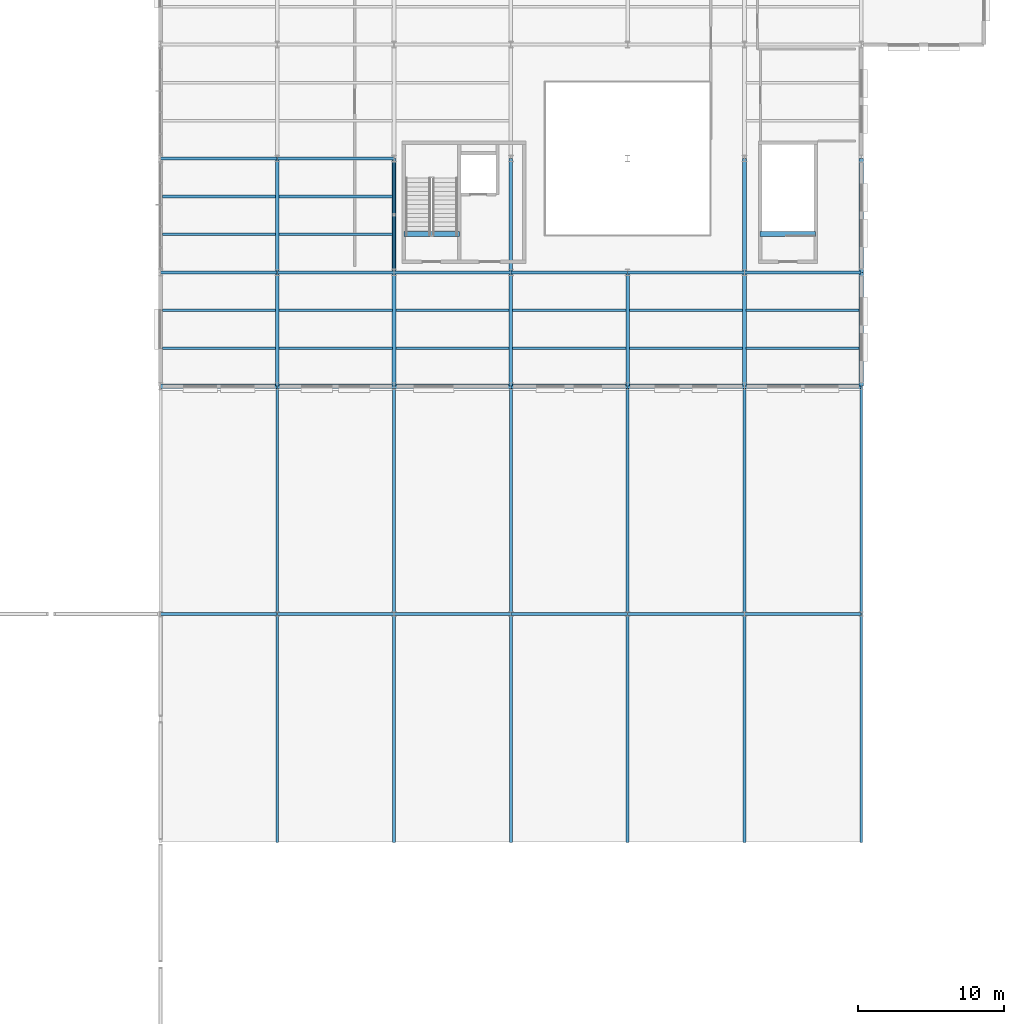
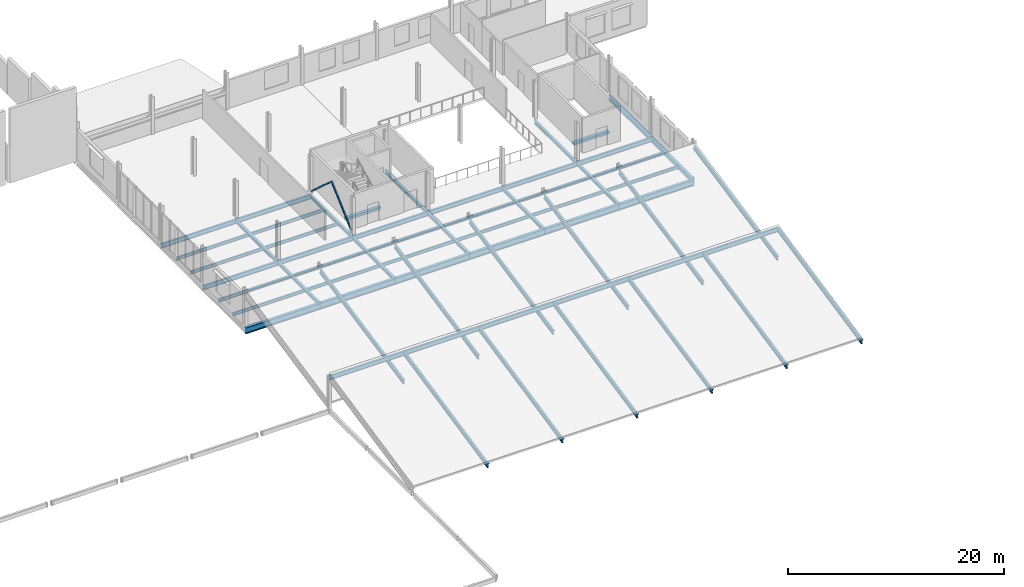
# One storey, part 13 of 45: 61 beams, 2 members.
"""IFC4 building model written with IfcOpenShell, lengths in metres."""

from ifc_helpers import new_model, si_unit, direction, frame, origin, origin_2d, place, context, subcontext, project, spatial, rectangle, hollow_rectangle, i_section, extrude, material, material_profile, profile_set, type_object, element, save


model = new_model("IFC4")

# Units and contexts
model_context = context("Model", 3, precision=1e-05, world=origin(), true_north=direction((0.0, 1.0)))
body_context = subcontext(model_context, "Body", "Model", "MODEL_VIEW")
ifc_project = project(units=[si_unit("LENGTHUNIT", "METRE"), si_unit("AREAUNIT", "SQUARE_METRE"), si_unit("VOLUMEUNIT", "CUBIC_METRE"), si_unit("PLANEANGLEUNIT", "RADIAN"), si_unit("MASSUNIT", "GRAM", prefix="KILO")], contexts=[model_context])

# Site, building, storey
site_placement = place(None, origin())
site = spatial("IfcSite", under=ifc_project, at=site_placement, CompositionType="ELEMENT")
building_placement = place(site_placement, origin())
building = spatial("IfcBuilding", under=site, at=building_placement, Name="Yukiwa Park Conservatory and Herbarium", CompositionType="ELEMENT")
storey_placement = place(building_placement, frame((0.0, 0.0, 9.0)))
storey = spatial("IfcBuildingStorey", under=building, at=storey_placement, Name="L02", CompositionType="ELEMENT", Elevation=9.0)

# Beams
ifc_material_1 = material(Name="Steel Q355D", Category="steel")
ifc_material_profile_1 = material_profile(ifc_material_1, i_section(OverallWidth=0.25, OverallDepth=0.35009765625, WebThickness=0.009033203125, FlangeThickness=0.013916015625, FilletRadius=0.02001953125, at=origin_2d()), Name="HM 350x250x9x14")
ifc_profile_set_1 = profile_set([ifc_material_profile_1], Name="Steel Q355D")
beam_type_1 = type_object("IfcBeamType", Name="BM-GRD-HM350", PredefinedType="BEAM", material=ifc_profile_set_1)
for number, where, z_axis, x_axis, name in (
    (1, (68.0, 46.805908203125, -0.419921875), (0.0, 1.0, 0.0), (-1.0, 0.0, 0.0), "L02 grid girder Y-62"),
    (2, (68.0, 54.60595703125, -0.419921875), (0.0, 1.0, 0.0), (-1.0, 0.0, 0.0), "L02 grid girder Y-63"),
    (3, (76.0, 46.805908203125, -0.419921875), (0.0, 1.0, 0.0), (-1.0, 0.0, 0.0), "L02 grid girder Y-66"),
    (4, (76.0, 54.60595703125, -0.419921875), (0.0, 1.0, 0.0), (-1.0, 0.0, 0.0), "L02 grid girder Y-67"),
    (5, (84.0, 46.805908203125, -0.419921875), (0.0, 1.0, 0.0), (-1.0, 0.0, 0.0), "L02 grid girder Y-70"),
    (6, (84.0, 54.60595703125, -0.419921875), (0.0, 1.0, 0.0), (-1.0, 0.0, 0.0), "L02 grid girder Y-71"),
    (7, (92.0, 46.805908203125, -0.419921875), (0.0, 1.0, 0.0), (-1.0, 0.0, 0.0), "L02 grid girder Y-74"),
    (8, (100.0, 46.805908203125, -0.419921875), (0.0, 1.0, 0.0), (-1.0, 0.0, 0.0), "L02 grid girder Y-76"),
    (9, (100.0, 54.60595703125, -0.419921875), (0.0, 1.0, 0.0), (-1.0, 0.0, 0.0), "L02 grid girder Y-77"),
):
    element("IfcBeam", number, at=place(storey_placement, frame(where, z_axis=z_axis, x_axis=x_axis)), inside=storey, type_object=beam_type_1, Name=name, PredefinedType="BEAM", context=body_context, shape_type="SweptSolid", body=[
        extrude(i_section(OverallWidth=0.25, OverallDepth=0.35009765625, WebThickness=0.009033203125, FlangeThickness=0.013916015625, FilletRadius=0.02001953125, at=origin_2d()), origin(), (0.0, 0.0, 1.0), 7.7880859375),
    ])
ifc_material_2 = material(Name="Steel Q355D", Category="steel")
ifc_material_profile_2 = material_profile(ifc_material_2, i_section(OverallWidth=0.198974609375, OverallDepth=0.49609375, WebThickness=0.009033203125, FlangeThickness=0.013916015625, FilletRadius=0.02001953125, at=origin_2d()), Name="HN 496x199x9x14")
ifc_profile_set_2 = profile_set([ifc_material_profile_2], Name="Steel Q355D")
beam_type_2 = type_object("IfcBeamType", Name="BM-GRD-HN496", PredefinedType="BEAM", material=ifc_profile_set_2)
for number, where, z_axis, x_axis, name in (
    (10, (60.006103515625, 54.60009765625, -0.492919921875), (1.0, 0.0, 0.0), (0.0, 1.0, 0.0), "L02 grid beam X-7"),
    (11, (68.006103515625, 54.60009765625, -0.492919921875), (1.0, 0.0, 0.0), (0.0, 1.0, 0.0), "L02 grid beam X-8"),
    (12, (76.006103515625, 54.60009765625, -0.492919921875), (1.0, 0.0, 0.0), (0.0, 1.0, 0.0), "L02 grid beam X-9"),
    (13, (84.006103515625, 54.60009765625, -0.492919921875), (1.0, 0.0, 0.0), (0.0, 1.0, 0.0), "L02 grid beam X-10"),
    (14, (92.006103515625, 54.60009765625, -0.492919921875), (1.0, 0.0, 0.0), (0.0, 1.0, 0.0), "L02 grid beam X-11"),
    (15, (100.006103515625, 54.60009765625, -0.492919921875), (1.0, 0.0, 0.0), (0.0, 1.0, 0.0), "L02 grid beam X-12"),
    (16, (60.006103515625, 62.39990234375, -0.492919921875), (1.0, 0.0, 0.0), (0.0, 1.0, 0.0), "L02 grid beam X-13"),
    (17, (68.006103515625, 62.39990234375, -0.492919921875), (1.0, 0.0, 0.0), (0.0, 1.0, 0.0), "L02 grid beam X-14"),
):
    element("IfcBeam", number, at=place(storey_placement, frame(where, z_axis=z_axis, x_axis=x_axis)), inside=storey, type_object=beam_type_2, Name=name, PredefinedType="BEAM", context=body_context, shape_type="SweptSolid", body=[
        extrude(i_section(OverallWidth=0.198974609375, OverallDepth=0.49609375, WebThickness=0.009033203125, FlangeThickness=0.013916015625, FilletRadius=0.02001953125, at=origin_2d()), origin(), (0.0, 0.0, 1.0), 7.98779296875),
    ])
ifc_material_3 = material(Name="Steel Q355D", Category="steel")
ifc_material_profile_3 = material_profile(ifc_material_3, i_section(OverallWidth=0.199951171875, OverallDepth=0.5, WebThickness=0.010009765625, FlangeThickness=0.01611328125, FilletRadius=0.02001953125, at=origin_2d()), Name="HN 500x200x10x16")
ifc_profile_set_3 = profile_set([ifc_material_profile_3], Name="Steel Q355D")
beam_type_3 = type_object("IfcBeamType", Name="BM-GRD-HN500", PredefinedType="BEAM", material=ifc_profile_set_3)
for number, where, z_axis, x_axis, name in (
    (18, (60.006103515625, 31.199951171875, 3.52099609375), (1.0, 0.0, 0.0), (0.0, 1.0, 0.0), "Concourse south ridge girder 1"),
    (19, (68.006103515625, 31.199951171875, 3.52099609375), (1.0, 0.0, 0.0), (0.0, 1.0, 0.0), "Concourse south ridge girder 2"),
    (20, (76.006103515625, 31.199951171875, 3.52099609375), (1.0, 0.0, 0.0), (0.0, 1.0, 0.0), "Concourse south ridge girder 3"),
    (21, (84.006103515625, 31.199951171875, 3.52099609375), (1.0, 0.0, 0.0), (0.0, 1.0, 0.0), "Concourse south ridge girder 4"),
    (22, (92.006103515625, 31.199951171875, 3.52099609375), (1.0, 0.0, 0.0), (0.0, 1.0, 0.0), "Concourse south ridge girder 5"),
    (23, (100.006103515625, 31.199951171875, 3.52099609375), (1.0, 0.0, 0.0), (0.0, 1.0, 0.0), "Concourse south ridge girder 6"),
):
    element("IfcBeam", number, at=place(storey_placement, frame(where, z_axis=z_axis, x_axis=x_axis)), inside=storey, type_object=beam_type_3, Name=name, PredefinedType="BEAM", context=body_context, shape_type="SweptSolid", body=[
        extrude(i_section(OverallWidth=0.199951171875, OverallDepth=0.5, WebThickness=0.010009765625, FlangeThickness=0.01611328125, FilletRadius=0.02001953125, at=origin_2d()), origin(), (0.0, 0.0, 1.0), 7.98779296875),
    ])
beam_1_placement = place(storey_placement, frame((68.0, 15.60595703125, 0.205078125), z_axis=(0.0, 0.978114951062, 0.208065236187), x_axis=(-1.0, 0.0, 0.0)))
element("IfcBeam", 24, at=beam_1_placement, inside=storey, type_object=beam_type_3, Name="Concourse sloped roof rafter 1.2", PredefinedType="BEAM", context=body_context, shape_type="SweptSolid", body=[
    extrude(i_section(OverallWidth=0.199951171875, OverallDepth=0.5, WebThickness=0.010009765625, FlangeThickness=0.01611328125, FilletRadius=0.02001953125, at=origin_2d()), origin(), (0.0, 0.0, 1.0), 15.93701171875),
])
beam_2_placement = place(storey_placement, frame((68.0, 31.2060546875, 0.205078125), z_axis=(0.0, 0.979635987372, 0.200781802574), x_axis=(-1.0, 0.0, 0.0)))
element("IfcBeam", 25, at=beam_2_placement, inside=storey, type_object=beam_type_3, Name="Concourse sloped roof rafter 2.2", PredefinedType="BEAM", context=body_context, shape_type="SweptSolid", body=[
    extrude(i_section(OverallWidth=0.199951171875, OverallDepth=0.5, WebThickness=0.010009765625, FlangeThickness=0.01611328125, FilletRadius=0.02001953125, at=origin_2d()), origin(), (0.0, 0.0, 1.0), 15.911865234375),
])
beam_3_placement = place(storey_placement, frame((76.0, 15.60595703125, 0.205078125), z_axis=(0.0, 0.978114951062, 0.208065236187), x_axis=(-1.0, 0.0, 0.0)))
element("IfcBeam", 26, at=beam_3_placement, inside=storey, type_object=beam_type_3, Name="Concourse sloped roof rafter 1.3", PredefinedType="BEAM", context=body_context, shape_type="SweptSolid", body=[
    extrude(i_section(OverallWidth=0.199951171875, OverallDepth=0.5, WebThickness=0.010009765625, FlangeThickness=0.01611328125, FilletRadius=0.02001953125, at=origin_2d()), origin(), (0.0, 0.0, 1.0), 15.93701171875),
])
beam_4_placement = place(storey_placement, frame((76.0, 31.2060546875, 0.205078125), z_axis=(0.0, 0.979635987372, 0.200781802574), x_axis=(-1.0, 0.0, 0.0)))
element("IfcBeam", 27, at=beam_4_placement, inside=storey, type_object=beam_type_3, Name="Concourse sloped roof rafter 2.3", PredefinedType="BEAM", context=body_context, shape_type="SweptSolid", body=[
    extrude(i_section(OverallWidth=0.199951171875, OverallDepth=0.5, WebThickness=0.010009765625, FlangeThickness=0.01611328125, FilletRadius=0.02001953125, at=origin_2d()), origin(), (0.0, 0.0, 1.0), 15.911865234375),
])
beam_5_placement = place(storey_placement, frame((84.0, 15.60595703125, 0.205078125), z_axis=(0.0, 0.978114951062, 0.208065236187), x_axis=(-1.0, 0.0, 0.0)))
element("IfcBeam", 28, at=beam_5_placement, inside=storey, type_object=beam_type_3, Name="Concourse sloped roof rafter 1.4", PredefinedType="BEAM", context=body_context, shape_type="SweptSolid", body=[
    extrude(i_section(OverallWidth=0.199951171875, OverallDepth=0.5, WebThickness=0.010009765625, FlangeThickness=0.01611328125, FilletRadius=0.02001953125, at=origin_2d()), origin(), (0.0, 0.0, 1.0), 15.93701171875),
])
beam_6_placement = place(storey_placement, frame((84.0, 31.2060546875, 0.205078125), z_axis=(0.0, 0.979635987372, 0.200781802574), x_axis=(-1.0, 0.0, 0.0)))
element("IfcBeam", 29, at=beam_6_placement, inside=storey, type_object=beam_type_3, Name="Concourse sloped roof rafter 2.4", PredefinedType="BEAM", context=body_context, shape_type="SweptSolid", body=[
    extrude(i_section(OverallWidth=0.199951171875, OverallDepth=0.5, WebThickness=0.010009765625, FlangeThickness=0.01611328125, FilletRadius=0.02001953125, at=origin_2d()), origin(), (0.0, 0.0, 1.0), 15.911865234375),
])
beam_7_placement = place(storey_placement, frame((92.0, 15.60595703125, 0.205078125), z_axis=(0.0, 0.978114951062, 0.208065236187), x_axis=(-1.0, 0.0, 0.0)))
element("IfcBeam", 30, at=beam_7_placement, inside=storey, type_object=beam_type_3, Name="Concourse sloped roof rafter 1.5", PredefinedType="BEAM", context=body_context, shape_type="SweptSolid", body=[
    extrude(i_section(OverallWidth=0.199951171875, OverallDepth=0.5, WebThickness=0.010009765625, FlangeThickness=0.01611328125, FilletRadius=0.02001953125, at=origin_2d()), origin(), (0.0, 0.0, 1.0), 15.93701171875),
])
beam_8_placement = place(storey_placement, frame((92.0, 31.2060546875, 0.205078125), z_axis=(0.0, 0.979635987372, 0.200781802574), x_axis=(-1.0, 0.0, 0.0)))
element("IfcBeam", 31, at=beam_8_placement, inside=storey, type_object=beam_type_3, Name="Concourse sloped roof rafter 2.5", PredefinedType="BEAM", context=body_context, shape_type="SweptSolid", body=[
    extrude(i_section(OverallWidth=0.199951171875, OverallDepth=0.5, WebThickness=0.010009765625, FlangeThickness=0.01611328125, FilletRadius=0.02001953125, at=origin_2d()), origin(), (0.0, 0.0, 1.0), 15.911865234375),
])
beam_9_placement = place(storey_placement, frame((100.0, 15.60595703125, 0.205078125), z_axis=(0.0, 0.978114951062, 0.208065236187), x_axis=(-1.0, 0.0, 0.0)))
element("IfcBeam", 32, at=beam_9_placement, inside=storey, type_object=beam_type_3, Name="Concourse sloped roof rafter 1.6", PredefinedType="BEAM", context=body_context, shape_type="SweptSolid", body=[
    extrude(i_section(OverallWidth=0.199951171875, OverallDepth=0.5, WebThickness=0.010009765625, FlangeThickness=0.01611328125, FilletRadius=0.02001953125, at=origin_2d()), origin(), (0.0, 0.0, 1.0), 15.93701171875),
])
beam_10_placement = place(storey_placement, frame((100.0, 31.2060546875, 0.205078125), z_axis=(0.0, 0.979635987372, 0.200781802574), x_axis=(-1.0, 0.0, 0.0)))
element("IfcBeam", 33, at=beam_10_placement, inside=storey, type_object=beam_type_3, Name="Concourse sloped roof rafter 2.6", PredefinedType="BEAM", context=body_context, shape_type="SweptSolid", body=[
    extrude(i_section(OverallWidth=0.199951171875, OverallDepth=0.5, WebThickness=0.010009765625, FlangeThickness=0.01611328125, FilletRadius=0.02001953125, at=origin_2d()), origin(), (0.0, 0.0, 1.0), 15.911865234375),
])
ifc_material_4 = material(Name="Steel Q355D", Category="steel")
ifc_material_profile_4 = material_profile(ifc_material_4, i_section(OverallWidth=0.199951171875, OverallDepth=0.5, WebThickness=0.010009765625, FlangeThickness=0.01611328125, FilletRadius=0.02001953125, at=origin_2d()), Name="HN 500x200x10x16")
ifc_profile_set_4 = profile_set([ifc_material_profile_4], Name="Steel Q355D")
beam_type_4 = type_object("IfcBeamType", Name="BM-GRD-HN500-EXT", PredefinedType="BEAM", material=ifc_profile_set_4)
beam_11_placement = place(storey_placement, frame((108.0, 15.60595703125, 0.205078125), z_axis=(0.0, 0.978114951062, 0.208065236187), x_axis=(-1.0, 0.0, 0.0)))
element("IfcBeam", 34, at=beam_11_placement, inside=storey, type_object=beam_type_4, Name="Concourse sloped roof rafter 1.7", PredefinedType="BEAM", context=body_context, shape_type="SweptSolid", body=[
    extrude(i_section(OverallWidth=0.199951171875, OverallDepth=0.5, WebThickness=0.010009765625, FlangeThickness=0.01611328125, FilletRadius=0.02001953125, at=origin_2d()), origin(), (0.0, 0.0, 1.0), 15.93701171875),
])
beam_12_placement = place(storey_placement, frame((108.0, 31.2060546875, 0.205078125), z_axis=(0.0, 0.979635987372, 0.200781802574), x_axis=(-1.0, 0.0, 0.0)))
element("IfcBeam", 35, at=beam_12_placement, inside=storey, type_object=beam_type_4, Name="Concourse sloped roof rafter 2.7", PredefinedType="BEAM", context=body_context, shape_type="SweptSolid", body=[
    extrude(i_section(OverallWidth=0.199951171875, OverallDepth=0.5, WebThickness=0.010009765625, FlangeThickness=0.01611328125, FilletRadius=0.02001953125, at=origin_2d()), origin(), (0.0, 0.0, 1.0), 15.911865234375),
])
ifc_material_5 = material(Name="Steel Q355D", Category="steel")
ifc_material_profile_5 = material_profile(ifc_material_5, i_section(OverallWidth=0.174072265625, OverallDepth=0.345947265625, WebThickness=0.006103515625, FlangeThickness=0.009033203125, FilletRadius=0.013916015625, at=origin_2d()), Name="HN 346x174x6x9")
ifc_profile_set_5 = profile_set([ifc_material_profile_5], Name="Steel Q355D")
beam_type_5 = type_object("IfcBeamType", Name="BM-JST-HN346", PredefinedType="JOIST", material=ifc_profile_set_5)
for number, where, z_axis, x_axis, name in (
    (36, (60.14599609375, 49.39990234375, -0.41796875), (1.0, 0.0, 0.0), (0.0, 1.0, 0.0), "L02 composite floor joist 1"),
    (37, (60.14599609375, 52.0, -0.41796875), (1.0, 0.0, 0.0), (0.0, 1.0, 0.0), "L02 composite floor joist 2"),
    (38, (60.14599609375, 57.199951171875, -0.41796875), (1.0, 0.0, 0.0), (0.0, 1.0, 0.0), "L02 composite floor joist 3"),
    (39, (60.14599609375, 59.800048828125, -0.41796875), (1.0, 0.0, 0.0), (0.0, 1.0, 0.0), "L02 composite floor joist 4"),
):
    element("IfcBeam", number, at=place(storey_placement, frame(where, z_axis=z_axis, x_axis=x_axis)), inside=storey, type_object=beam_type_5, Name=name, PredefinedType="JOIST", context=body_context, shape_type="SweptSolid", body=[
        extrude(i_section(OverallWidth=0.174072265625, OverallDepth=0.345947265625, WebThickness=0.006103515625, FlangeThickness=0.009033203125, FilletRadius=0.013916015625, at=origin_2d()), origin(), (0.0, 0.0, 1.0), 7.73291015625),
    ])
for number, where, z_axis, x_axis, name in (
    (40, (68.12109375, 49.39990234375, -0.41796875), (1.0, 0.0, 0.0), (0.0, 1.0, 0.0), "L02 composite floor joist 9"),
    (41, (68.12109375, 52.0, -0.41796875), (1.0, 0.0, 0.0), (0.0, 1.0, 0.0), "L02 composite floor joist 10"),
    (42, (68.12109375, 57.199951171875, -0.41796875), (1.0, 0.0, 0.0), (0.0, 1.0, 0.0), "L02 composite floor joist 11"),
    (43, (68.12109375, 59.800048828125, -0.41796875), (1.0, 0.0, 0.0), (0.0, 1.0, 0.0), "L02 composite floor joist 12"),
    (44, (76.12109375, 49.39990234375, -0.41796875), (1.0, 0.0, 0.0), (0.0, 1.0, 0.0), "L02 composite floor joist 17"),
    (45, (76.12109375, 52.0, -0.41796875), (1.0, 0.0, 0.0), (0.0, 1.0, 0.0), "L02 composite floor joist 18"),
    (46, (84.12109375, 49.39990234375, -0.41796875), (1.0, 0.0, 0.0), (0.0, 1.0, 0.0), "L02 composite floor joist 23"),
    (47, (84.12109375, 52.0, -0.41796875), (1.0, 0.0, 0.0), (0.0, 1.0, 0.0), "L02 composite floor joist 24"),
    (48, (92.12109375, 49.39990234375, -0.41796875), (1.0, 0.0, 0.0), (0.0, 1.0, 0.0), "L02 composite floor joist 27"),
    (49, (92.12109375, 52.0, -0.41796875), (1.0, 0.0, 0.0), (0.0, 1.0, 0.0), "L02 composite floor joist 28"),
):
    element("IfcBeam", number, at=place(storey_placement, frame(where, z_axis=z_axis, x_axis=x_axis)), inside=storey, type_object=beam_type_5, Name=name, PredefinedType="JOIST", context=body_context, shape_type="SweptSolid", body=[
        extrude(i_section(OverallWidth=0.174072265625, OverallDepth=0.345947265625, WebThickness=0.006103515625, FlangeThickness=0.009033203125, FilletRadius=0.013916015625, at=origin_2d()), origin(), (0.0, 0.0, 1.0), 7.7578125),
    ])
for number, where, z_axis, x_axis, name in (
    (50, (100.12109375, 49.39990234375, -0.41796875), (1.0, 0.0, 0.0), (0.0, 1.0, 0.0), "L02 composite floor joist 31"),
    (51, (100.12109375, 52.0, -0.41796875), (1.0, 0.0, 0.0), (0.0, 1.0, 0.0), "L02 composite floor joist 32"),
):
    element("IfcBeam", number, at=place(storey_placement, frame(where, z_axis=z_axis, x_axis=x_axis)), inside=storey, type_object=beam_type_5, Name=name, PredefinedType="JOIST", context=body_context, shape_type="SweptSolid", body=[
        extrude(i_section(OverallWidth=0.174072265625, OverallDepth=0.345947265625, WebThickness=0.006103515625, FlangeThickness=0.009033203125, FilletRadius=0.013916015625, at=origin_2d()), origin(), (0.0, 0.0, 1.0), 7.73291015625),
    ])
ifc_material_6 = material(Name="Steel Q355D", Category="steel")
ifc_material_profile_6 = material_profile(ifc_material_6, i_section(OverallWidth=0.300048828125, OverallDepth=0.493896484375, WebThickness=0.010986328125, FlangeThickness=0.014892578125, FilletRadius=0.02392578125, at=origin_2d()), Name="HM 494x300x11x15")
ifc_profile_set_6 = profile_set([ifc_material_profile_6], Name="Steel Q355D")
beam_type_6 = type_object("IfcBeamType", Name="BM-SPN-HN450", PredefinedType="SPANDREL", material=ifc_profile_set_6)
for number, where, z_axis, x_axis, name in (
    (52, (108.0, 46.805908203125, -0.491943359375), (0.0, 1.0, 0.0), (-1.0, 0.0, 0.0), "L02 spandrel girder Y-80"),
    (53, (108.0, 54.60595703125, -0.491943359375), (0.0, 1.0, 0.0), (-1.0, 0.0, 0.0), "L02 spandrel girder Y-81"),
):
    element("IfcBeam", number, at=place(storey_placement, frame(where, z_axis=z_axis, x_axis=x_axis)), inside=storey, type_object=beam_type_6, Name=name, PredefinedType="SPANDREL", context=body_context, shape_type="SweptSolid", body=[
        extrude(i_section(OverallWidth=0.300048828125, OverallDepth=0.493896484375, WebThickness=0.010986328125, FlangeThickness=0.014892578125, FilletRadius=0.02392578125, at=origin_2d()), origin(), (0.0, 0.0, 1.0), 7.7880859375),
    ])
ifc_material_7 = material(Name="Steel Q355D", Category="steel")
ifc_material_profile_7 = material_profile(ifc_material_7, i_section(OverallWidth=0.300048828125, OverallDepth=0.69189453125, WebThickness=0.012939453125, FlangeThickness=0.02001953125, FilletRadius=0.028076171875, at=origin_2d()), Name="HN 692x300x13x20")
ifc_profile_set_7 = profile_set([ifc_material_profile_7], Name="Steel Q355D")
beam_type_7 = type_object("IfcBeamType", Name="BM-SPN-HN550", PredefinedType="SPANDREL", material=ifc_profile_set_7)
for number, where, z_axis, x_axis, name in (
    (54, (60.006103515625, 46.800048828125, -0.591064453125), (1.0, 0.0, 0.0), (0.0, 1.0, 0.0), "L02 spandrel beam X-1"),
    (55, (68.006103515625, 46.800048828125, -0.591064453125), (1.0, 0.0, 0.0), (0.0, 1.0, 0.0), "L02 spandrel beam X-2"),
    (56, (76.006103515625, 46.800048828125, -0.591064453125), (1.0, 0.0, 0.0), (0.0, 1.0, 0.0), "L02 spandrel beam X-3"),
    (57, (84.006103515625, 46.800048828125, -0.591064453125), (1.0, 0.0, 0.0), (0.0, 1.0, 0.0), "L02 spandrel beam X-4"),
    (58, (92.006103515625, 46.800048828125, -0.591064453125), (1.0, 0.0, 0.0), (0.0, 1.0, 0.0), "L02 spandrel beam X-5"),
    (59, (100.006103515625, 46.800048828125, -0.591064453125), (1.0, 0.0, 0.0), (0.0, 1.0, 0.0), "L02 spandrel beam X-6"),
):
    element("IfcBeam", number, at=place(storey_placement, frame(where, z_axis=z_axis, x_axis=x_axis)), inside=storey, type_object=beam_type_7, Name=name, PredefinedType="SPANDREL", context=body_context, shape_type="SweptSolid", body=[
        extrude(i_section(OverallWidth=0.300048828125, OverallDepth=0.69189453125, WebThickness=0.012939453125, FlangeThickness=0.02001953125, FilletRadius=0.028076171875, at=origin_2d()), origin(), (0.0, 0.0, 1.0), 7.98779296875),
    ])
ifc_material_8 = material(Name="Concrete C40", Category="concrete")
ifc_material_profile_8 = material_profile(ifc_material_8, rectangle(XDim=0.35009765625, YDim=0.300048828125, at=origin_2d()), Name="RC 350x300")
ifc_profile_set_8 = profile_set([ifc_material_profile_8], Name="Concrete C40")
beam_type_8 = type_object("IfcBeamType", Name="BM-STAIR-TRIM", PredefinedType="BEAM", material=ifc_profile_set_8)
for number, where, z_axis, x_axis, name in (
    (60, (76.679931640625, 57.22998046875, -0.14990234375), (1.0, 0.0, 0.0), (0.0, 1.0, 0.0), "Stair ST-V1 L02 landing trimmer beam"),
    (61, (101.080078125, 57.22998046875, -0.14990234375), (1.0, 0.0, 0.0), (0.0, 1.0, 0.0), "Stair ST-V2 L02 landing trimmer beam"),
):
    element("IfcBeam", number, at=place(storey_placement, frame(where, z_axis=z_axis, x_axis=x_axis)), inside=storey, type_object=beam_type_8, Name=name, PredefinedType="BEAM", context=body_context, shape_type="SweptSolid", body=[
        extrude(rectangle(XDim=0.35009765625, YDim=0.300048828125, at=origin_2d()), origin(), (0.0, 0.0, 1.0), 3.7900390625),
    ])

# Members
ifc_material_9 = material(Name="Steel Q355D", Category="steel")
ifc_material_profile_9 = material_profile(ifc_material_9, hollow_rectangle(XDim=0.14990234375, YDim=0.14990234375, WallThickness=0.008056640625, InnerFilletRadius=0.008056640625, OuterFilletRadius=0.01611328125, at=origin_2d()), Name="SHS 150x150x8")
ifc_profile_set_9 = profile_set([ifc_material_profile_9], Name="Steel Q355D")
member_type = type_object("IfcMemberType", Name="MB-BR-SHS150", PredefinedType="BRACE", material=ifc_profile_set_9)
for number, where, z_axis, x_axis, name in (
    (62, (76.0, 54.818603515625, 0.246337890625), (0.0, 0.743247577421, 0.669016471141), (-1.0, 0.0, 0.0), "L02 concentric chevron brace 23"),
    (63, (76.0, 62.181396484375, 0.246337890625), (0.0, -0.743247577421, 0.669016471141), (1.0, 0.0, 0.0), "L02 concentric chevron brace 24"),
):
    element("IfcMember", number, at=place(storey_placement, frame(where, z_axis=z_axis, x_axis=x_axis)), inside=storey, type_object=member_type, Name=name, PredefinedType="BRACE", context=body_context, shape_type="SweptSolid", body=[
        extrude(hollow_rectangle(XDim=0.14990234375, YDim=0.14990234375, WallThickness=0.008056640625, InnerFilletRadius=0.008056640625, OuterFilletRadius=0.01611328125, at=origin_2d()), origin(), (0.0, 0.0, 1.0), 4.953125),
    ])

save(model, "model.ifc")
